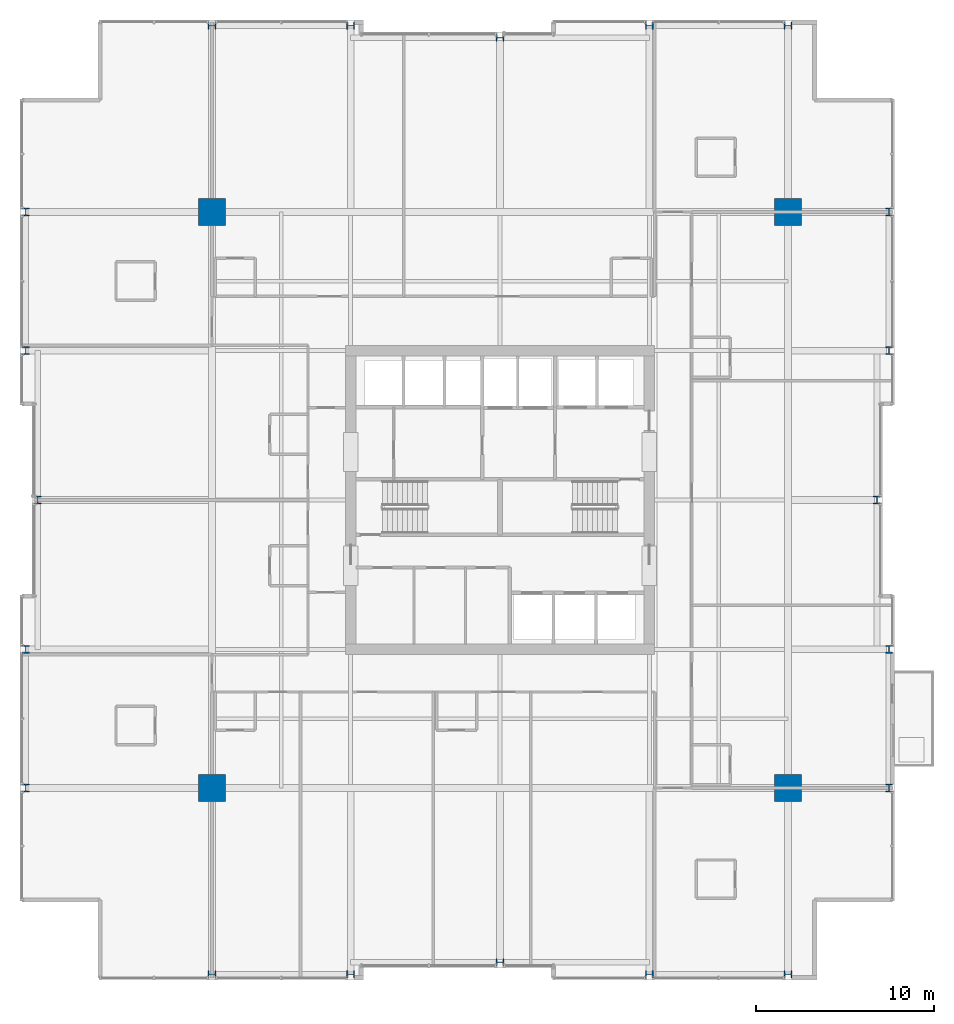
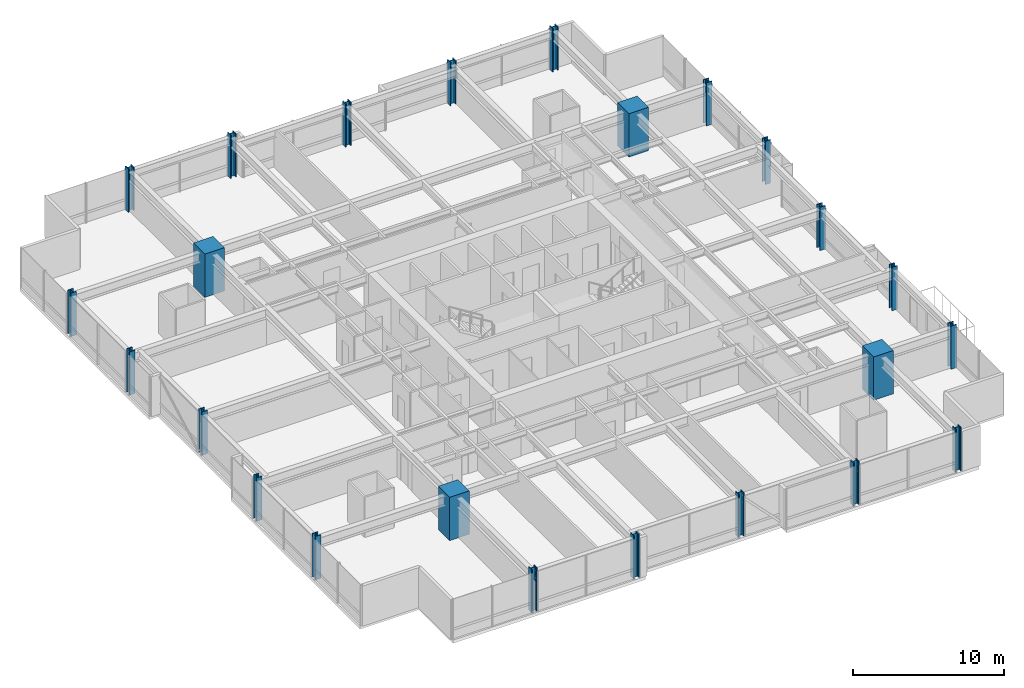
# One storey, part 1 of 34: 24 columns.
"""IFC4 building model written with IfcOpenShell, lengths in metres."""

from ifc_helpers import new_model, si_unit, direction, frame, origin, origin_2d, place, context, subcontext, project, spatial, rectangle, i_section, extrude, material, material_profile, profile_set, type_object, element, save


model = new_model("IFC4")

# Units and contexts
model_context = context("Model", 3, precision=1e-05, world=origin(), true_north=direction((0.0, 1.0)))
body_context = subcontext(model_context, "Body", "Model", "MODEL_VIEW")
ifc_project = project(units=[si_unit("LENGTHUNIT", "METRE"), si_unit("AREAUNIT", "SQUARE_METRE"), si_unit("VOLUMEUNIT", "CUBIC_METRE"), si_unit("PLANEANGLEUNIT", "RADIAN"), si_unit("MASSUNIT", "GRAM", prefix="KILO")], contexts=[model_context])

# Site, building, storey
site_placement = place(None, origin())
site = spatial("IfcSite", under=ifc_project, at=site_placement, CompositionType="ELEMENT")
building_placement = place(site_placement, origin())
building = spatial("IfcBuilding", under=site, at=building_placement, Name="Drelvath Grand Hotel", CompositionType="ELEMENT")
storey_placement = place(building_placement, frame((0.0, 0.0, 116.300048828125)))
storey = spatial("IfcBuildingStorey", under=building, at=storey_placement, Name="L29", CompositionType="ELEMENT", Elevation=116.300048828125)

# Columns
ifc_material_1 = material(Name="Concrete f'c 70 MPa", Category="concrete")
ifc_material_profile_1 = material_profile(ifc_material_1, rectangle(XDim=1.5, YDim=1.5, at=origin_2d()), Name="MC1500X1500")
ifc_profile_set_1 = profile_set([ifc_material_profile_1], Name="Concrete f'c 70 MPa")
column_type_1 = type_object("IfcColumnType", Name="Composite Mega Column MC1500X1500", PredefinedType="COLUMN", material=ifc_profile_set_1)
for number, where, z_axis, x_axis, name in (
    (1, (-16.199951171875, 10.800048828125, 0.0), (0.0, 0.0, 1.0), (1.0, 0.0, 0.0), "L29 Composite Mega Column MC-SW"),
    (2, (16.199951171875, 10.800048828125, 0.0), (0.0, 0.0, 1.0), (1.0, 0.0, 0.0), "L29 Composite Mega Column MC-SE"),
    (3, (-16.199951171875, 43.199951171875, 0.0), (0.0, 0.0, 1.0), (1.0, 0.0, 0.0), "L29 Composite Mega Column MC-NW"),
    (4, (16.199951171875, 43.199951171875, 0.0), (0.0, 0.0, 1.0), (1.0, 0.0, 0.0), "L29 Composite Mega Column MC-NE"),
):
    element("IfcColumn", number, at=place(storey_placement, frame(where, z_axis=z_axis, x_axis=x_axis)), inside=storey, type_object=column_type_1, Name=name, PredefinedType="COLUMN", context=body_context, shape_type="SweptSolid", body=[
        extrude(rectangle(XDim=1.5, YDim=1.5, at=origin_2d()), origin(), (0.0, 0.0, 1.0), 3.5),
    ])
ifc_material_2 = material(Name="Steel ASTM A913 Gr 65", Category="steel")
ifc_material_profile_2 = material_profile(ifc_material_2, i_section(OverallWidth=0.41845703125, OverallDepth=0.455078125, WebThickness=0.0419921875, FlangeThickness=0.067626953125, FilletRadius=0.030029296875, at=origin_2d()), Name="W14X370")
ifc_profile_set_2 = profile_set([ifc_material_profile_2], Name="Steel ASTM A913 Gr 65")
column_type_2 = type_object("IfcColumnType", Name="Perimeter Steel Column W14X370", PredefinedType="COLUMN", material=ifc_profile_set_2)
for number, where, z_axis, x_axis, name in (
    (5, (-26.679931640625, 10.800048828125, 0.0), (0.0, 0.0, 1.0), (1.0, 0.0, 0.0), "L29 Structural Column TCW-C"),
    (6, (21.8798828125, 10.800048828125, 0.0), (0.0, 0.0, 1.0), (1.0, 0.0, 0.0), "L29 Structural Column TCE-C"),
    (7, (-26.679931640625, 18.60009765625, 0.0), (0.0, 0.0, 1.0), (1.0, 0.0, 0.0), "L29 Structural Column TCW-D"),
    (8, (21.8798828125, 18.60009765625, 0.0), (0.0, 0.0, 1.0), (1.0, 0.0, 0.0), "L29 Structural Column TCE-D"),
    (9, (-26.0, 27.0, 0.0), (0.0, 0.0, 1.0), (1.0, 0.0, 0.0), "L29 Structural Column TCW-E"),
    (10, (21.199951171875, 27.0, 0.0), (0.0, 0.0, 1.0), (1.0, 0.0, 0.0), "L29 Structural Column TCE-E"),
    (11, (-26.679931640625, 35.39990234375, 0.0), (0.0, 0.0, 1.0), (1.0, 0.0, 0.0), "L29 Structural Column TCW-F"),
    (12, (21.8798828125, 35.39990234375, 0.0), (0.0, 0.0, 1.0), (1.0, 0.0, 0.0), "L29 Structural Column TCE-F"),
    (13, (-26.679931640625, 43.199951171875, 0.0), (0.0, 0.0, 1.0), (1.0, 0.0, 0.0), "L29 Structural Column TCW-G"),
    (14, (21.8798828125, 43.199951171875, 0.0), (0.0, 0.0, 1.0), (1.0, 0.0, 0.0), "L29 Structural Column TCE-G"),
    (15, (-16.199951171875, 0.320068359375, 0.0), (0.0, 0.0, 1.0), (0.0, 1.0, 0.0), "L29 Structural Column TCS-3"),
    (16, (-16.199951171875, 53.679931640625, 0.0), (0.0, 0.0, 1.0), (0.0, 1.0, 0.0), "L29 Structural Column TCN-3"),
    (17, (-8.39990234375, 0.320068359375, 0.0), (0.0, 0.0, 1.0), (0.0, 1.0, 0.0), "L29 Structural Column TCS-4"),
    (18, (-8.39990234375, 53.679931640625, 0.0), (0.0, 0.0, 1.0), (0.0, 1.0, 0.0), "L29 Structural Column TCN-4"),
    (19, (0.0, 1.0, 0.0), (0.0, 0.0, 1.0), (0.0, 1.0, 0.0), "L29 Structural Column TCS-5"),
    (20, (0.0, 53.0, 0.0), (0.0, 0.0, 1.0), (0.0, 1.0, 0.0), "L29 Structural Column TCN-5"),
    (21, (8.39990234375, 0.320068359375, 0.0), (0.0, 0.0, 1.0), (0.0, 1.0, 0.0), "L29 Structural Column TCS-6"),
    (22, (8.39990234375, 53.679931640625, 0.0), (0.0, 0.0, 1.0), (0.0, 1.0, 0.0), "L29 Structural Column TCN-6"),
    (23, (16.199951171875, 0.320068359375, 0.0), (0.0, 0.0, 1.0), (0.0, 1.0, 0.0), "L29 Structural Column TCS-7"),
    (24, (16.199951171875, 53.679931640625, 0.0), (0.0, 0.0, 1.0), (0.0, 1.0, 0.0), "L29 Structural Column TCN-7"),
):
    element("IfcColumn", number, at=place(storey_placement, frame(where, z_axis=z_axis, x_axis=x_axis)), inside=storey, type_object=column_type_2, Name=name, PredefinedType="COLUMN", context=body_context, shape_type="SweptSolid", body=[
        extrude(i_section(OverallWidth=0.41845703125, OverallDepth=0.455078125, WebThickness=0.0419921875, FlangeThickness=0.067626953125, FilletRadius=0.030029296875, at=origin_2d()), origin(), (0.0, 0.0, 1.0), 3.4970703125),
    ])

save(model, "model.ifc")
